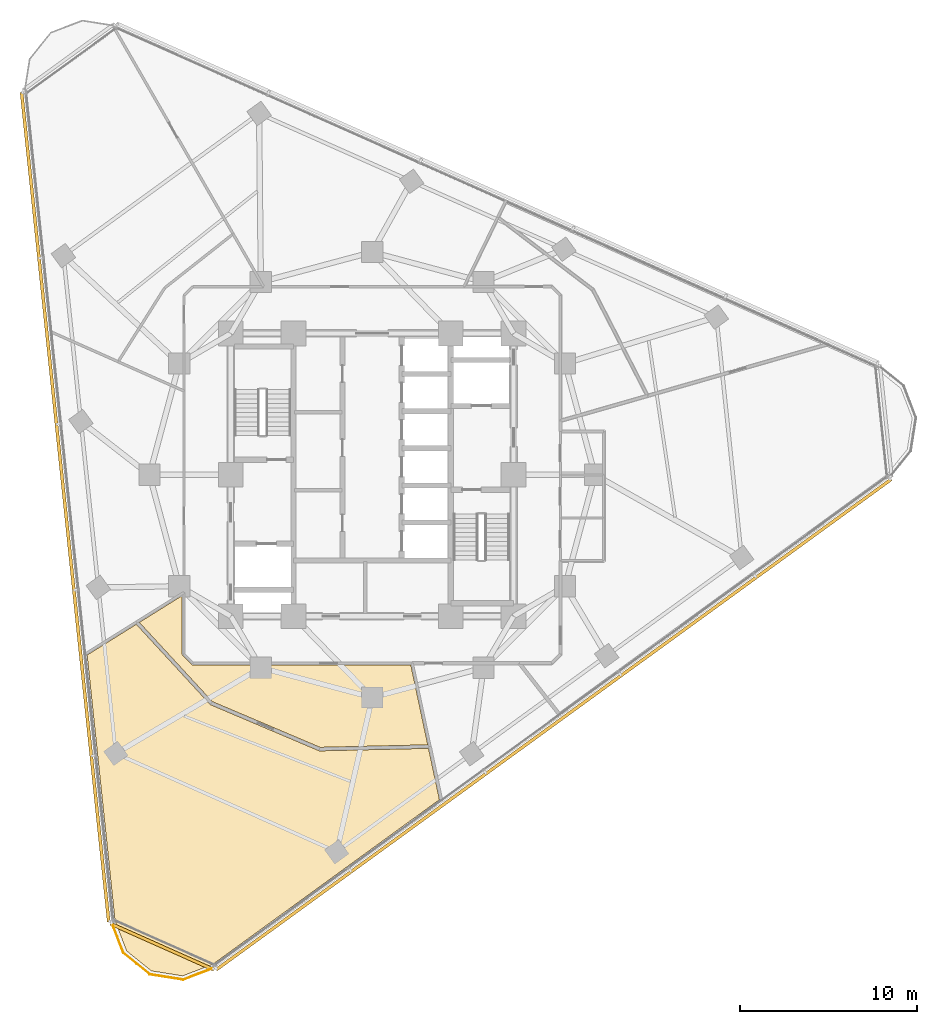
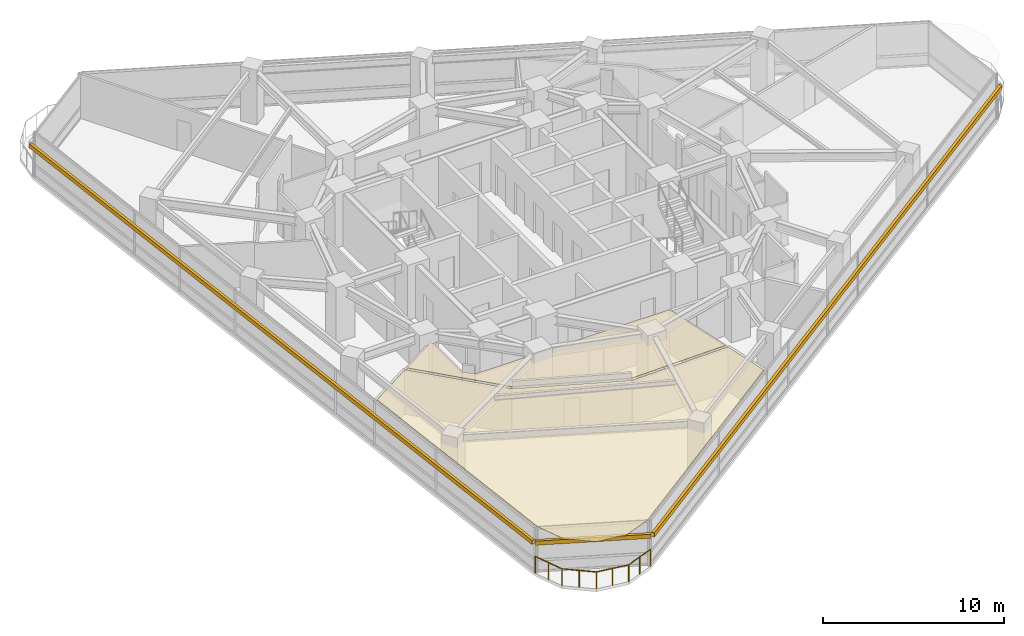
# One storey, part 12 of 14: 3 shading devices, 2 coverings, 1 railing.
"""IFC4 building model written with IfcOpenShell, lengths in metres."""

import ifcopenshell
import ifcopenshell.guid

model = None  # the IFC model being written
_history = None  # IfcOwnerHistory: only IFC2X3 demands one
_inside = {}  # id of a spatial element -> (the spatial element, [elements in it])
_under = {}  # id of a project, library or spatial element -> (it, [spatial elements below it])
_declared = {}  # id of a project -> (the project, [libraries it declares])
_typed = {}  # id of a type object -> (the type object, [elements of that type])
_made_of = {}  # id of a material, layer set ... -> (it, [elements and type objects made of it])


def new_model(schema):
    """Start an empty IFC model of exactly this schema.

    Asked for "IFC4X3", IfcOpenShell would pick the latest addendum, in which some entities
    have other attributes; the version numbers below select the first issue.
    IFC2X3 requires an IfcOwnerHistory on every rooted entity: one is made here for all.
    """
    global model, _history
    if schema == "IFC4X3":
        model = ifcopenshell.file(schema_version=(4, 3, 0, 0))
    else:
        model = ifcopenshell.file(schema=schema)
    _inside.clear()
    _under.clear()
    _declared.clear()
    _typed.clear()
    _made_of.clear()
    _history = None
    if model.schema == "IFC2X3":
        org = make("IfcOrganization", Name="unknown")
        user = make(
            "IfcPersonAndOrganization",
            ThePerson=make("IfcPerson", FamilyName="unknown"),
            TheOrganization=org,
        )
        app = make(
            "IfcApplication",
            ApplicationDeveloper=org,
            Version="unknown",
            ApplicationFullName="unknown",
            ApplicationIdentifier="unknown",
        )
        _history = make(
            "IfcOwnerHistory",
            OwningUser=user,
            OwningApplication=app,
            ChangeAction="ADDED",
            CreationDate=0,
        )
    return model


def make(cls, **values):
    """One entity of the class cls with the attributes given. An attribute that is None is left unset."""
    return model.create_entity(
        cls, **{name: value for name, value in values.items() if value is not None}
    )


def rooted(cls, **values):
    """An entity with a GlobalId (a new one), such as an element, a storey or a relation."""
    return make(cls, GlobalId=ifcopenshell.guid.new(), OwnerHistory=_history, **values)


def si_unit(unit_type, name, prefix=None):
    """IfcSIUnit, for example si_unit("LENGTHUNIT", "METRE", prefix="MILLI")."""
    return make("IfcSIUnit", UnitType=unit_type, Prefix=prefix, Name=name)


def assignment(units):
    """IfcUnitAssignment: the units of a project."""
    return None if units is None else make("IfcUnitAssignment", Units=units)


def point(xyz):
    """IfcCartesianPoint."""
    return None if xyz is None else make("IfcCartesianPoint", Coordinates=xyz)


def direction(xyz):
    """IfcDirection."""
    return None if xyz is None else make("IfcDirection", DirectionRatios=xyz)


def frame(location, z_axis=None, x_axis=None):
    """IfcAxis2Placement3D, a coordinate frame: its origin and axes. An axis left out is left unset."""
    return make(
        "IfcAxis2Placement3D",
        Location=point(location),
        Axis=direction(z_axis),
        RefDirection=direction(x_axis),
    )


def frame_2d(location, x_axis=None):
    """IfcAxis2Placement2D, a coordinate frame in the plane: its origin and x axis."""
    return make(
        "IfcAxis2Placement2D", Location=point(location), RefDirection=direction(x_axis)
    )


def origin():
    """The frame at (0, 0, 0) with its axes left unset."""
    return frame((0.0, 0.0, 0.0))


def origin_2d():
    """The frame at (0, 0) in the plane with its x axis left unset."""
    return frame_2d((0.0, 0.0))


def place(relative_to, where):
    """IfcLocalPlacement: puts the frame where relative to a parent placement (None: the world)."""
    return make(
        "IfcLocalPlacement", PlacementRelTo=relative_to, RelativePlacement=where
    )


def context(
    kind, dimensions, precision=None, world=None, true_north=None, identifier=None
):
    """IfcGeometricRepresentationContext, for example the 3D "Model" context."""
    return make(
        "IfcGeometricRepresentationContext",
        ContextIdentifier=identifier,
        ContextType=kind,
        CoordinateSpaceDimension=dimensions,
        Precision=precision,
        WorldCoordinateSystem=world,
        TrueNorth=true_north,
    )


def subcontext(parent, identifier, kind, view, scale=None):
    """IfcGeometricRepresentationSubContext, for example "Body" below "Model"."""
    return make(
        "IfcGeometricRepresentationSubContext",
        ContextIdentifier=identifier,
        ContextType=kind,
        ParentContext=parent,
        TargetScale=scale,
        TargetView=view,
    )


def project(units=None, contexts=None):
    """IfcProject with its units and contexts."""
    return rooted(
        "IfcProject",
        Name="project",
        RepresentationContexts=contexts,
        UnitsInContext=assignment(units),
    )


def spatial(cls, under=None, at=None, **own):
    """A site, building, storey or space (cls), placed at a placement, below another one or the project."""
    s = rooted(cls, ObjectPlacement=at, **own)
    if under is not None:
        _under.setdefault(under.id(), (under, []))[1].append(s)
    return s


def polyline(points):
    """IfcPolyline through the points."""
    return make("IfcPolyline", Points=[point(p) for p in points])


def profile(cls, at=None, kind="AREA", **sizes):
    """A parametric profile (cls). Its sizes go by their IFC names, for example OverallWidth=200.0."""
    return make(cls, ProfileType=kind, Position=at, **sizes)


def rectangle(**sizes):
    """IfcRectangleProfileDef."""
    return profile("IfcRectangleProfileDef", **sizes)


def circle(**sizes):
    """IfcCircleProfileDef."""
    return profile("IfcCircleProfileDef", **sizes)


def outline(outer, holes=None, kind="AREA"):
    """IfcArbitraryClosedProfileDef: a profile drawn as a closed curve; with holes, ...WithVoids."""
    if holes is None:
        return make("IfcArbitraryClosedProfileDef", ProfileType=kind, OuterCurve=outer)
    return make(
        "IfcArbitraryProfileDefWithVoids",
        ProfileType=kind,
        OuterCurve=outer,
        InnerCurves=holes,
    )


def extrude(swept, where, along, depth):
    """IfcExtrudedAreaSolid: the profile swept, set in the frame where, extruded along a direction by depth."""
    return make(
        "IfcExtrudedAreaSolid",
        SweptArea=swept,
        Position=where,
        ExtrudedDirection=direction(along),
        Depth=depth,
    )


def shape(context_of_items, identifier, shape_type, items):
    """IfcShapeRepresentation: the items that make up one representation, for example the "Body"."""
    return make(
        "IfcShapeRepresentation",
        ContextOfItems=context_of_items,
        RepresentationIdentifier=identifier,
        RepresentationType=shape_type,
        Items=items,
    )


def material(Name=None, Category=None):
    """IfcMaterial."""
    return make("IfcMaterial", Name=Name, Category=Category)


def layer(
    of_material, thickness, ventilated=None, Name=None, Category=None, Priority=None
):
    """IfcMaterialLayer: one layer of a wall or slab, of a material (None: an air gap)."""
    return make(
        "IfcMaterialLayer",
        Material=of_material,
        LayerThickness=thickness,
        IsVentilated=ventilated,
        Name=Name,
        Category=Category,
        Priority=Priority,
    )


def layer_set(layers, Name=None):
    """IfcMaterialLayerSet."""
    return make("IfcMaterialLayerSet", MaterialLayers=layers, LayerSetName=Name)


def made_of(thing, what):
    """Note that an element or type object is made of a material, layer set ...; save() writes the relation."""
    if what is not None:
        _made_of.setdefault(what.id(), (what, []))[1].append(thing)
    return thing


def type_object(cls, material=None, **own):
    """A type object (cls), such as IfcWallType, which elements share."""
    return made_of(rooted(cls, **own), material)


def element(
    cls,
    number,
    at=None,
    inside=None,
    cuts=None,
    type_object=None,
    material=None,
    context=None,
    identifier="Body",
    shape_type=None,
    held_by="IfcProductDefinitionShape",
    body=None,
    shapes=None,
    **own,
):
    """One element of the class cls, such as IfcWall. Its Tag is "e" and its number.

    at: its placement. inside: the storey or other place that contains it. cuts: it is an
    opening in that element (IfcRelVoidsElement). A single representation is given by context,
    identifier, shape_type and body (its items); several are given by shapes. held_by: the class
    of the entity that holds the representations. save() writes the other relations.
    """
    e = rooted(cls, Tag="e%d" % number, ObjectPlacement=at, **own)
    if body is not None:
        shapes = [shape(context, identifier, shape_type, body)]
    if shapes is not None:
        e.Representation = make(held_by, Representations=shapes)
    if inside is not None:
        _inside.setdefault(inside.id(), (inside, []))[1].append(e)
    if cuts is not None:
        rooted(
            "IfcRelVoidsElement", RelatingBuildingElement=cuts, RelatedOpeningElement=e
        )
    if type_object is not None:
        _typed.setdefault(type_object.id(), (type_object, []))[1].append(e)
    return made_of(e, material)


def aggregate(whole, parts):
    """IfcRelAggregates: a whole, such as a stair, and the parts it consists of."""
    return rooted("IfcRelAggregates", RelatingObject=whole, RelatedObjects=parts)


def save(model, path):
    """Write the relations noted so far, then the file.

    IfcRelAggregates (storeys below a building ...), IfcRelContainedInSpatialStructure (elements
    in a storey), IfcRelDefinesByType, IfcRelAssociatesMaterial and IfcRelDeclares: one each for
    every whole, place, type object, material and project.
    """
    for whole, parts in _under.values():
        aggregate(whole, parts)
    for where, things in _inside.values():
        rooted(
            "IfcRelContainedInSpatialStructure",
            RelatedElements=things,
            RelatingStructure=where,
        )
    for kind, things in _typed.values():
        rooted("IfcRelDefinesByType", RelatedObjects=things, RelatingType=kind)
    for what, things in _made_of.values():
        rooted("IfcRelAssociatesMaterial", RelatedObjects=things, RelatingMaterial=what)
    for by, libraries in _declared.values():
        rooted("IfcRelDeclares", RelatingContext=by, RelatedDefinitions=libraries)
    model.write(path)


model = new_model("IFC4")

# Units and contexts
model_context = context("Model", 3, precision=1e-05, world=origin(), true_north=direction((0.0, 1.0)))
body_context = subcontext(model_context, "Body", "Model", "MODEL_VIEW")
ifc_project = project(units=[si_unit("LENGTHUNIT", "METRE"), si_unit("AREAUNIT", "SQUARE_METRE"), si_unit("VOLUMEUNIT", "CUBIC_METRE"), si_unit("PLANEANGLEUNIT", "RADIAN"), si_unit("MASSUNIT", "GRAM", prefix="KILO")], contexts=[model_context])

# Site, building, storey
site_placement = place(None, origin())
site = spatial("IfcSite", under=ifc_project, at=site_placement, CompositionType="ELEMENT")
building_placement = place(site_placement, origin())
building = spatial("IfcBuilding", under=site, at=building_placement, Name="Terralouvre Media Tower", CompositionType="ELEMENT")
storey_placement = place(building_placement, frame((0.0, 0.0, 162.0)))
storey = spatial("IfcBuildingStorey", under=building, at=storey_placement, Name="L41", CompositionType="ELEMENT", Elevation=162.0)

# Coverings
ifc_material_1 = material(Name="Perforated aluminium acoustic ceiling baffle", Category="aluminium")
ifc_layer_1 = layer(ifc_material_1, 0.0400390625, Name="Perforated Acoustic Metal Tile Ceiling CL-AC1")
ifc_layer_set_1 = layer_set([ifc_layer_1], Name="Perforated aluminium acoustic ceiling baffle")
covering_type = type_object("IfcCoveringType", Name="Perforated Acoustic Metal Tile Ceiling CL-AC1", PredefinedType="CEILING", material=ifc_layer_set_1)
covering_1_placement = place(storey_placement, frame((0.0, 0.0, 2.97998046875), z_axis=(0.0, 0.0, 1.0), x_axis=(0.809016994375, 0.587785252292, 0.0)))
element("IfcCovering", 1, at=covering_1_placement, inside=storey, type_object=covering_type, Name="L41 Director Master Control Room 2 Acoustic Ceiling", PredefinedType="CEILING", context=body_context, shape_type="SweptSolid", body=[
    extrude(outline(polyline([(-11.5810546875, -10.890869140625), (-11.58935546875, -10.88427734375), (-11.596923828125, -10.876953125), (-11.603759765625, -10.868896484375), (-11.60986328125, -10.860107421875), (-15.03955078125, -5.15185546875), (-15.044677734375, -5.142578125), (-15.048583984375, -5.1328125), (-15.051513671875, -5.12255859375), (-15.05322265625, -5.112060546875), (-15.768798828125, 1.00244140625), (-19.040771484375, 1.231201171875), (-26.59912109375, -11.860107421875), (-27.072509765625, -13.62548828125), (-26.60693359375, -15.362060546875), (-25.3359375, -16.632568359375), (-23.571044921875, -17.10546875), (-7.72509765625, -17.10546875), (-6.517333984375, -14.39306640625), (-11.5810546875, -10.890869140625)])), origin(), (0.0, 0.0, 1.0), 0.0400390625),
])
covering_2_placement = place(storey_placement, frame((0.0, 0.0, 2.97998046875), z_axis=(0.0, 0.0, 1.0), x_axis=(0.809016994375, 0.587785252292, 0.0)))
element("IfcCovering", 2, at=covering_2_placement, inside=storey, type_object=covering_type, Name="L41 Broadcast Floor Crew Room 3 Acoustic Ceiling", PredefinedType="CEILING", context=body_context, shape_type="SweptSolid", body=[
    extrude(outline(polyline([(-14.857177734375, -5.0673828125), (-11.449462890625, -10.738525390625), (-6.4345703125, -14.20703125), (-4.552490234375, -9.97998046875), (-14.5302734375, -2.73095703125), (-14.537841796875, -2.724853515625), (-14.544921875, -2.718017578125), (-14.55126953125, -2.71044921875), (-14.556640625, -2.7021484375), (-14.561279296875, -2.693603515625), (-14.565185546875, -2.6845703125), (-14.568115234375, -2.67529296875), (-14.570068359375, -2.665771484375), (-14.680908203125, -1.96728515625), (-14.681884765625, -1.95751953125), (-14.681884765625, -1.94775390625), (-14.68115234375, -1.93798828125), (-14.67919921875, -1.92822265625), (-14.676513671875, -1.918701171875), (-14.6728515625, -1.90966796875), (-14.668212890625, -1.901123046875), (-14.662841796875, -1.892822265625), (-12.714599609375, 0.788818359375), (-15.565673828125, 0.988037109375), (-14.857177734375, -5.0673828125)])), origin(), (0.0, 0.0, 1.0), 0.0400390625),
])

# Railing
ifc_material_2 = material(Name="Stainless steel 316 handrail and balustrade", Category="steel")
ifc_layer_2 = layer(ifc_material_2, 0.06005859375, Name="Roof Edge Safety Guardrail GR-ROOF1")
ifc_layer_set_2 = layer_set([ifc_layer_2], Name="Stainless steel 316 handrail and balustrade")
railing_type = type_object("IfcRailingType", Name="Roof Edge Safety Guardrail GR-ROOF1", PredefinedType="GUARDRAIL", material=ifc_layer_set_2)
railing_placement = place(storey_placement, frame((-14.756103515625, -25.268798828125, 0.0)))
element("IfcRailing", 3, at=railing_placement, inside=storey, type_object=railing_type, Name="L41 Wind-Corner Perimeter Safety Guardrail C0", PredefinedType="GUARDRAIL", context=body_context, shape_type="SweptSolid", body=[
    extrude(circle(Radius=0.02099609375, at=origin_2d()), frame((0.0, 0.0, 1.12890625), z_axis=(0.358184292829, -0.933650904981, 0.0), x_axis=(0.933650904981, 0.358184292829, 0.0)), (0.0, 0.0, 1.0), 1.91455078125),
    extrude(circle(Radius=0.02099609375, at=origin_2d()), frame((0.685791015625, -1.78759765625, 1.12890625), z_axis=(0.777022086472, -0.62947333314, 0.0), x_axis=(0.62947333314, 0.777022086472, 0.0)), (0.0, 0.0, 1.0), 1.914306640625),
    extrude(circle(Radius=0.02099609375, at=origin_2d()), frame((2.17333984375, -2.99267578125, 1.12890625), z_axis=(0.987721569441, -0.156224521958, 0.0), x_axis=(0.156224521958, 0.987721569441, 0.0)), (0.0, 0.0, 1.0), 1.914306640625),
    extrude(circle(Radius=0.02099609375, at=origin_2d()), frame((4.064208984375, -3.291748046875, 1.12890625), z_axis=(0.933506543973, 0.358560360832, 0.0), x_axis=(-0.358560360832, 0.933506543973, 0.0)), (0.0, 0.0, 1.0), 1.91455078125),
    extrude(circle(Radius=0.01904296875, at=origin_2d()), origin(), (0.0, 0.0, 1.0), 1.10791015625),
    extrude(circle(Radius=0.01904296875, at=origin_2d()), frame((0.3427734375, -0.893798828125, 0.0)), (0.0, 0.0, 1.0), 1.10791015625),
    extrude(circle(Radius=0.01904296875, at=origin_2d()), frame((0.685791015625, -1.78759765625, 0.0)), (0.0, 0.0, 1.0), 1.10791015625),
    extrude(circle(Radius=0.01904296875, at=origin_2d()), frame((1.4296875, -2.39013671875, 0.0)), (0.0, 0.0, 1.0), 1.10791015625),
    extrude(circle(Radius=0.01904296875, at=origin_2d()), frame((2.17333984375, -2.99267578125, 0.0)), (0.0, 0.0, 1.0), 1.10791015625),
    extrude(circle(Radius=0.01904296875, at=origin_2d()), frame((3.11865234375, -3.14208984375, 0.0)), (0.0, 0.0, 1.0), 1.10791015625),
    extrude(circle(Radius=0.01904296875, at=origin_2d()), frame((4.064208984375, -3.291748046875, 0.0)), (0.0, 0.0, 1.0), 1.10791015625),
    extrude(circle(Radius=0.01904296875, at=origin_2d()), frame((4.9580078125, -2.948486328125, 0.0)), (0.0, 0.0, 1.0), 1.10791015625),
    extrude(circle(Radius=0.01904296875, at=origin_2d()), frame((5.8515625, -2.605224609375, 0.0)), (0.0, 0.0, 1.0), 1.10791015625),
])

# Shading devices
ifc_material_3 = material(Name="Extruded terracotta baguette sunshade louvres", Category="masonry")
shading_device_type = type_object("IfcShadingDeviceType", Name="Terracotta Baguette Sunshade Louvre Screen TB-LV1", PredefinedType="USERDEFINED", material=ifc_material_3)
for number, where, z_axis, x_axis, name in (
    (4, (10.265869140625, -14.1298828125, 2.02392578125), (0.0, 0.0, 1.0), (0.809016917383, 0.587785358263, 0.0), "CW-L41-F0 Terracotta Baguette Sunshade Louvre"),
    (5, (-17.369873046875, -1.82568359375, 2.02392578125), (0.0, 0.0, 1.0), (0.104528376236, -0.994521904516, 0.0), "CW-L41-F2 Terracotta Baguette Sunshade Louvre"),
):
    element("IfcShadingDevice", number, at=place(storey_placement, frame(where, z_axis=z_axis, x_axis=x_axis)), inside=storey, type_object=shading_device_type, Name=name, ObjectType="BAGUETTE", PredefinedType="USERDEFINED", context=body_context, shape_type="SweptSolid", body=[
        extrude(rectangle(XDim=47.199951171875, YDim=0.179931640625, at=origin_2d()), origin(), (0.0, 0.0, 1.0), 0.280029296875),
    ])
shading_device_placement = place(storey_placement, frame((-11.88525390625, -26.694580078125, 2.02392578125), z_axis=(0.0, 0.0, 1.0), x_axis=(0.913545408199, -0.406736754128, 0.0)))
element("IfcShadingDevice", 6, at=shading_device_placement, inside=storey, type_object=shading_device_type, Name="CW-L41-C0 Terracotta Baguette Sunshade Louvre", ObjectType="BAGUETTE", PredefinedType="USERDEFINED", context=body_context, shape_type="SweptSolid", body=[
    extrude(rectangle(XDim=6.40869140625, YDim=0.179931640625, at=origin_2d()), origin(), (0.0, 0.0, 1.0), 0.280029296875),
])

save(model, "model.ifc")
